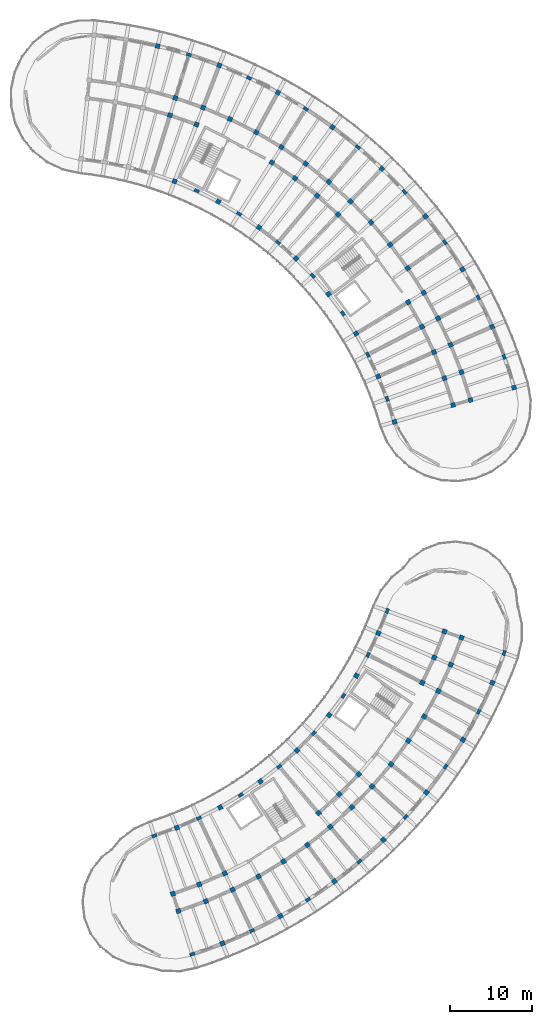
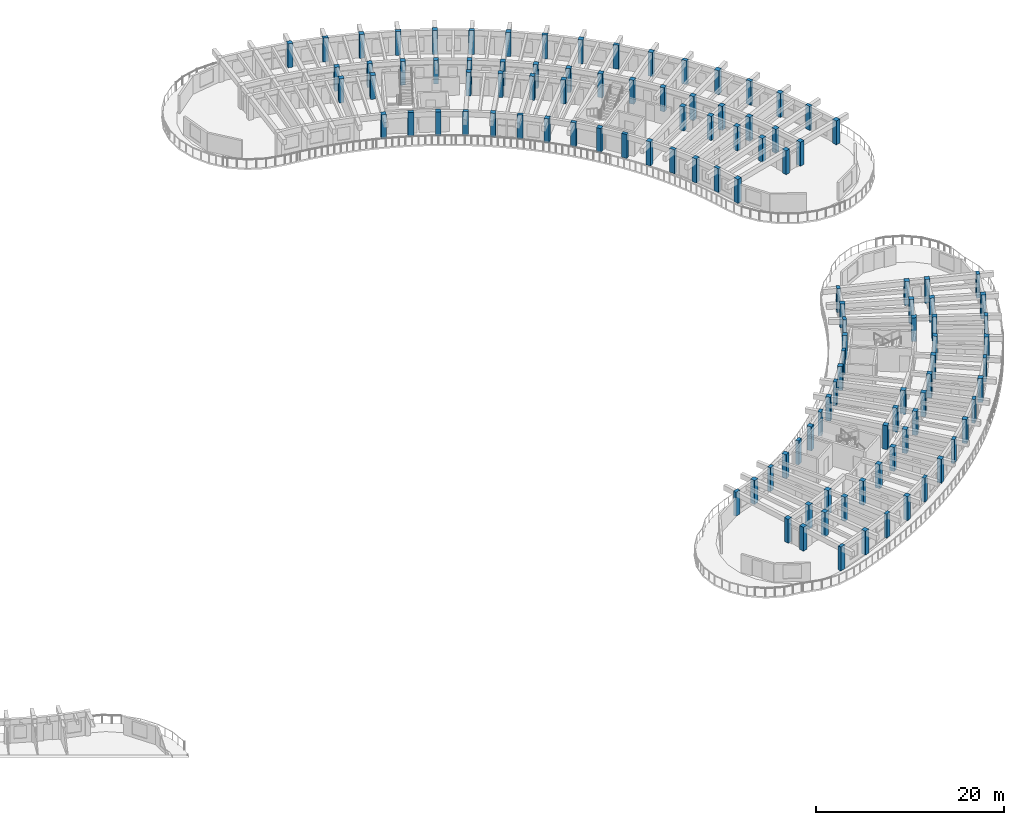
# One storey, part 2 of 81: 113 columns.
"""IFC4 building model written with IfcOpenShell, lengths in metres."""

from ifc_helpers import new_model, si_unit, direction, frame, origin, origin_2d, place, context, subcontext, project, spatial, rectangle, extrude, material, material_profile, profile_set, type_object, element, save


model = new_model("IFC4")

# Units and contexts
model_context = context("Model", 3, precision=1e-05, world=origin(), true_north=direction((0.0, 1.0)))
body_context = subcontext(model_context, "Body", "Model", "MODEL_VIEW")
ifc_project = project(units=[si_unit("LENGTHUNIT", "METRE"), si_unit("AREAUNIT", "SQUARE_METRE"), si_unit("VOLUMEUNIT", "CUBIC_METRE"), si_unit("PLANEANGLEUNIT", "RADIAN"), si_unit("MASSUNIT", "GRAM", prefix="KILO")], contexts=[model_context])

# Site, building, storey
site_placement = place(None, origin())
site = spatial("IfcSite", under=ifc_project, at=site_placement, CompositionType="ELEMENT")
building_placement = place(site_placement, origin())
building = spatial("IfcBuilding", under=site, at=building_placement, Name="Tanwirah Colonnade Gardens", CompositionType="ELEMENT")
storey_placement = place(building_placement, frame((0.0, 0.0, 18.919921875)))
storey = spatial("IfcBuildingStorey", under=building, at=storey_placement, Name="L05", CompositionType="ELEMENT", Elevation=18.919921875)

# Columns
ifc_material_1 = material(Name="Precast concrete C40/50", Category="concrete")
ifc_material_profile_1 = material_profile(ifc_material_1, rectangle(XDim=0.56005859375, YDim=0.56005859375, at=origin_2d()), Name="PC-COL 560x560")
ifc_profile_set_1 = profile_set([ifc_material_profile_1], Name="Precast concrete C40/50")
column_type_1 = type_object("IfcColumnType", Name="C-PC480", PredefinedType="COLUMN", material=ifc_profile_set_1)
for number, where, z_axis, x_axis, name in (
    (1, (136.80712890625, 15.1181640625, 0.0), (0.0, 0.0, 1.0), (0.304864299028, -0.952395799643, 0.0), "Block D L05 Column 1-R1"),
    (2, (137.47802734375, 13.02294921875, 0.0), (0.0, 0.0, 1.0), (0.304864299028, -0.952395799643, 0.0), "Block D L05 Column 1-R2"),
    (3, (137.291015625, 23.142822265625, 0.0), (0.0, 0.0, 1.0), (0.366501226724, -0.930417567982, 0.0), "Block D L05 Column 2-R0"),
    (4, (140.003173828125, 16.2578125, 0.0), (0.0, 0.0, 1.0), (0.366501226724, -0.930417567982, 0.0), "Block D L05 Column 2-R1"),
    (5, (140.809326171875, 14.2109375, 0.0), (0.0, 0.0, 1.0), (0.366501226724, -0.930417567982, 0.0), "Block D L05 Column 2-R2"),
    (6, (142.8251953125, 9.09375, 0.0), (0.0, 0.0, 1.0), (0.366501226724, -0.930417567982, 0.0), "Block D L05 Column 2-R3"),
    (7, (143.11767578125, 17.60400390625, 0.0), (0.0, 0.0, 1.0), (0.426568739901, -0.904455145454, 0.0), "Block D L05 Column 3-R1"),
    (8, (144.05615234375, 15.6142578125, 0.0), (0.0, 0.0, 1.0), (0.426568739901, -0.904455145454, 0.0), "Block D L05 Column 3-R2"),
    (9, (142.5498046875, 25.623046875, 0.0), (0.0, 0.0, 1.0), (0.484809620246, -0.874619707139, 0.0), "Block D L05 Column 4-R0"),
    (10, (147.203857421875, 17.226806640625, 0.0), (0.0, 0.0, 1.0), (0.484809620246, -0.874619707139, 0.0), "Block D L05 Column 4-R2"),
    (11, (149.870361328125, 12.41650390625, 0.0), (0.0, 0.0, 1.0), (0.484809620246, -0.874619707139, 0.0), "Block D L05 Column 4-R3"),
    (12, (150.23974609375, 19.041748046875, 0.0), (0.0, 0.0, 1.0), (0.540974471368, -0.841039012964, 0.0), "Block D L05 Column 5-R2"),
    (13, (147.43994140625, 28.7685546875, 0.0), (0.0, 0.0, 1.0), (0.594822786751, -0.803856860617, 0.0), "Block D L05 Column 6-R0"),
    (14, (153.150146484375, 21.051513671875, 0.0), (0.0, 0.0, 1.0), (0.594822786751, -0.803856860617, 0.0), "Block D L05 Column 6-R2"),
    (15, (156.421630859375, 16.63037109375, 0.0), (0.0, 0.0, 1.0), (0.594822786751, -0.803856860617, 0.0), "Block D L05 Column 6-R3"),
    (16, (154.50146484375, 24.926513671875, 0.0), (0.0, 0.0, 1.0), (0.646123979643, -0.763232469783, 0.0), "Block D L05 Column 7-R1"),
    (17, (155.923095703125, 23.247314453125, 0.0), (0.0, 0.0, 1.0), (0.646123979643, -0.763232469783, 0.0), "Block D L05 Column 7-R2"),
    (18, (151.877685546875, 32.525390625, 0.0), (0.0, 0.0, 1.0), (0.694658370459, -0.719339800339, 0.0), "Block D L05 Column 8-R0"),
    (19, (157.01806640625, 27.2021484375, 0.0), (0.0, 0.0, 1.0), (0.694658370459, -0.719339800339, 0.0), "Block D L05 Column 8-R1"),
    (20, (158.54638671875, 25.61962890625, 0.0), (0.0, 0.0, 1.0), (0.694658370459, -0.719339800339, 0.0), "Block D L05 Column 8-R2"),
    (21, (162.366943359375, 21.663330078125, 0.0), (0.0, 0.0, 1.0), (0.694658370459, -0.719339800339, 0.0), "Block D L05 Column 8-R3"),
    (22, (159.38037109375, 29.6376953125, 0.0), (0.0, 0.0, 1.0), (0.740218127487, -0.672366807435, 0.0), "Block D L05 Column 9-R1"),
    (23, (161.0087890625, 28.15869140625, 0.0), (0.0, 0.0, 1.0), (0.740218127487, -0.672366807435, 0.0), "Block D L05 Column 9-R2"),
    (24, (155.786865234375, 36.829345703125, 0.0), (0.0, 0.0, 1.0), (0.782608156852, -0.622514636638, 0.0), "Block D L05 Column 10-R0"),
    (25, (163.300048828125, 30.85302734375, 0.0), (0.0, 0.0, 1.0), (0.782608156852, -0.622514636638, 0.0), "Block D L05 Column 10-R2"),
    (26, (167.604248046875, 27.42919921875, 0.0), (0.0, 0.0, 1.0), (0.782608156852, -0.622514636638, 0.0), "Block D L05 Column 10-R3"),
    (27, (165.409912109375, 33.691650390625, 0.0), (0.0, 0.0, 1.0), (0.821646937942, -0.569996762596, 0.0), "Block D L05 Column 11-R2"),
    (28, (159.10107421875, 41.6064453125, 0.0), (0.0, 0.0, 1.0), (0.857167300702, -0.51503807491, 0.0), "Block D L05 Column 12-R0"),
    (29, (167.329833984375, 36.662109375, 0.0), (0.0, 0.0, 1.0), (0.857167300702, -0.51503807491, 0.0), "Block D L05 Column 12-R2"),
    (30, (172.04443359375, 33.82958984375, 0.0), (0.0, 0.0, 1.0), (0.857167300702, -0.51503807491, 0.0), "Block D L05 Column 12-R3"),
    (31, (167.095458984375, 40.75927734375, 0.0), (0.0, 0.0, 1.0), (0.889017141486, -0.457873915117, 0.0), "Block D L05 Column 13-R1"),
    (32, (169.05126953125, 39.751953125, 0.0), (0.0, 0.0, 1.0), (0.889017141486, -0.457873915117, 0.0), "Block D L05 Column 13-R2"),
    (33, (161.763427734375, 46.775634765625, 0.0), (0.0, 0.0, 1.0), (0.917060074385, -0.398749068925, 0.0), "Block D L05 Column 14-R0"),
    (34, (168.549560546875, 43.824951171875, 0.0), (0.0, 0.0, 1.0), (0.917060074385, -0.398749068925, 0.0), "Block D L05 Column 14-R1"),
    (35, (170.567138671875, 42.947509765625, 0.0), (0.0, 0.0, 1.0), (0.917060074385, -0.398749068925, 0.0), "Block D L05 Column 14-R2"),
    (36, (175.61083984375, 40.75439453125, 0.0), (0.0, 0.0, 1.0), (0.917060074385, -0.398749068925, 0.0), "Block D L05 Column 14-R3"),
    (37, (169.800048828125, 46.97900390625, 0.0), (0.0, 0.0, 1.0), (0.941176015256, -0.337916718003, 0.0), "Block D L05 Column 15-R1"),
    (38, (171.87060546875, 46.235595703125, 0.0), (0.0, 0.0, 1.0), (0.941176015256, -0.337916718003, 0.0), "Block D L05 Column 15-R2"),
):
    element("IfcColumn", number, at=place(storey_placement, frame(where, z_axis=z_axis, x_axis=x_axis)), inside=storey, type_object=column_type_1, Name=name, PredefinedType="COLUMN", context=body_context, shape_type="SweptSolid", body=[
        extrude(rectangle(XDim=0.56005859375, YDim=0.56005859375, at=origin_2d()), origin(), (0.0, 0.0, 1.0), 3.110107421875),
    ])
ifc_material_2 = material(Name="Precast concrete C45/55", Category="concrete")
ifc_material_profile_2 = material_profile(ifc_material_2, rectangle(XDim=0.550048828125, YDim=0.550048828125, at=origin_2d()), Name="PC-COL 550x550")
ifc_profile_set_2 = profile_set([ifc_material_profile_2], Name="Precast concrete C45/55")
column_type_2 = type_object("IfcColumnType", Name="C-PC550", PredefinedType="COLUMN", material=ifc_profile_set_2)
for number, where, z_axis, x_axis, name in (
    (39, (163.72802734375, 72.4521484375, 0.0), (0.0, 0.0, 1.0), (0.961261695938, 0.275637355817, 0.0), "Block B L05 Column 0-R0"),
    (40, (170.84130859375, 74.49169921875, 0.0), (0.0, 0.0, 1.0), (0.961261695938, 0.275637355817, 0.0), "Block B L05 Column 0-R1"),
    (41, (172.956298828125, 75.09814453125, 0.0), (0.0, 0.0, 1.0), (0.961261695938, 0.275637355817, 0.0), "Block B L05 Column 0-R2"),
    (42, (178.2431640625, 76.6142578125, 0.0), (0.0, 0.0, 1.0), (0.961261695938, 0.275637355817, 0.0), "Block B L05 Column 0-R3"),
    (43, (169.79150390625, 77.74462890625, 0.0), (0.0, 0.0, 1.0), (0.941012076693, 0.338372976931, 0.0), "Block B L05 Column 1-R1"),
    (44, (171.86181640625, 78.489013671875, 0.0), (0.0, 0.0, 1.0), (0.941012076693, 0.338372976931, 0.0), "Block B L05 Column 1-R2"),
    (45, (161.74609375, 77.9638671875, 0.0), (0.0, 0.0, 1.0), (0.916673002238, 0.39963809499, 0.0), "Block B L05 Column 2-R0"),
    (46, (168.529541015625, 80.921142578125, 0.0), (0.0, 0.0, 1.0), (0.916673002238, 0.39963809499, 0.0), "Block B L05 Column 2-R1"),
    (47, (170.546142578125, 81.800537109375, 0.0), (0.0, 0.0, 1.0), (0.916673002238, 0.39963809499, 0.0), "Block B L05 Column 2-R2"),
    (48, (175.587890625, 83.99853515625, 0.0), (0.0, 0.0, 1.0), (0.916673002238, 0.39963809499, 0.0), "Block B L05 Column 2-R3"),
    (49, (167.06103515625, 84.0078125, 0.0), (0.0, 0.0, 1.0), (0.88835024545, 0.459166463723, 0.0), "Block B L05 Column 3-R1"),
    (50, (169.015380859375, 85.01806640625, 0.0), (0.0, 0.0, 1.0), (0.88835024545, 0.459166463723, 0.0), "Block B L05 Column 3-R2"),
    (51, (159.056640625, 83.167236328125, 0.0), (0.0, 0.0, 1.0), (0.856166891514, 0.516699384434, 0.0), "Block B L05 Column 4-R0"),
    (52, (165.392333984375, 86.990966796875, 0.0), (0.0, 0.0, 1.0), (0.856166891514, 0.516699384434, 0.0), "Block B L05 Column 4-R1"),
    (53, (167.27587890625, 88.127685546875, 0.0), (0.0, 0.0, 1.0), (0.856166891514, 0.516699384434, 0.0), "Block B L05 Column 4-R2"),
    (54, (171.984619140625, 90.969482421875, 0.0), (0.0, 0.0, 1.0), (0.856166891514, 0.516699384434, 0.0), "Block B L05 Column 4-R3"),
    (55, (165.335205078125, 91.115966796875, 0.0), (0.0, 0.0, 1.0), (0.820262803018, 0.571986830255, 0.0), "Block B L05 Column 5-R2"),
    (56, (155.706298828125, 87.971923828125, 0.0), (0.0, 0.0, 1.0), (0.780794012137, 0.624788532714, 0.0), "Block B L05 Column 6-R0"),
    (57, (163.201904296875, 93.9697265625, 0.0), (0.0, 0.0, 1.0), (0.780794012137, 0.624788532714, 0.0), "Block B L05 Column 6-R2"),
    (58, (167.496337890625, 97.40625, 0.0), (0.0, 0.0, 1.0), (0.780794012137, 0.624788532714, 0.0), "Block B L05 Column 6-R3"),
    (59, (160.88525390625, 96.677001953125, 0.0), (0.0, 0.0, 1.0), (0.73793204255, 0.674875025896, 0.0), "Block B L05 Column 7-R2"),
    (60, (151.75341796875, 92.294189453125, 0.0), (0.0, 0.0, 1.0), (0.691863164029, 0.722028643656, 0.0), "Block B L05 Column 8-R0"),
    (61, (156.873046875, 97.63720703125, 0.0), (0.0, 0.0, 1.0), (0.691863164029, 0.722028643656, 0.0), "Block B L05 Column 8-R1"),
    (62, (158.395263671875, 99.2255859375, 0.0), (0.0, 0.0, 1.0), (0.691863164029, 0.722028643656, 0.0), "Block B L05 Column 8-R2"),
    (63, (162.200439453125, 103.19677734375, 0.0), (0.0, 0.0, 1.0), (0.691863164029, 0.722028643656, 0.0), "Block B L05 Column 8-R3"),
    (64, (154.32861328125, 99.91943359375, 0.0), (0.0, 0.0, 1.0), (0.642787582947, 0.766044465556, 0.0), "Block B L05 Column 9-R1"),
    (65, (155.74267578125, 101.604736328125, 0.0), (0.0, 0.0, 1.0), (0.642787582947, 0.766044465556, 0.0), "Block B L05 Column 9-R2"),
    (66, (147.266357421875, 96.05908203125, 0.0), (0.0, 0.0, 1.0), (0.590918572221, 0.806731207407, 0.0), "Block B L05 Column 10-R0"),
    (67, (151.63916015625, 102.029052734375, 0.0), (0.0, 0.0, 1.0), (0.590918572221, 0.806731207407, 0.0), "Block B L05 Column 10-R1"),
    (68, (152.939208984375, 103.8037109375, 0.0), (0.0, 0.0, 1.0), (0.590918572221, 0.806731207407, 0.0), "Block B L05 Column 10-R2"),
    (69, (156.189208984375, 108.24072265625, 0.0), (0.0, 0.0, 1.0), (0.590918572221, 0.806731207407, 0.0), "Block B L05 Column 10-R3"),
    (70, (148.816650390625, 103.956787109375, 0.0), (0.0, 0.0, 1.0), (0.536481544469, 0.843912052553, 0.0), "Block B L05 Column 11-R1"),
    (71, (149.996826171875, 105.8134765625, 0.0), (0.0, 0.0, 1.0), (0.536481544469, 0.843912052553, 0.0), "Block B L05 Column 11-R2"),
    (72, (142.3232421875, 99.20166015625, 0.0), (0.0, 0.0, 1.0), (0.479713072413, 0.877425420281, 0.0), "Block B L05 Column 12-R0"),
    (73, (146.928466796875, 107.624755859375, 0.0), (0.0, 0.0, 1.0), (0.479713072413, 0.877425420281, 0.0), "Block B L05 Column 12-R2"),
    (74, (149.56689453125, 112.45068359375, 0.0), (0.0, 0.0, 1.0), (0.479713072413, 0.877425420281, 0.0), "Block B L05 Column 12-R3"),
    (75, (143.74755859375, 109.230224609375, 0.0), (0.0, 0.0, 1.0), (0.420859860775, 0.907125668024, 0.0), "Block B L05 Column 13-R2"),
    (76, (137.010009765625, 101.666748046875, 0.0), (0.0, 0.0, 1.0), (0.36017767415, 0.932883724289, 0.0), "Block B L05 Column 14-R0"),
    (77, (139.67529296875, 108.570068359375, 0.0), (0.0, 0.0, 1.0), (0.36017767415, 0.932883724289, 0.0), "Block B L05 Column 14-R1"),
    (78, (140.467529296875, 110.622314453125, 0.0), (0.0, 0.0, 1.0), (0.36017767415, 0.932883724289, 0.0), "Block B L05 Column 14-R2"),
    (79, (142.448486328125, 115.753173828125, 0.0), (0.0, 0.0, 1.0), (0.36017767415, 0.932883724289, 0.0), "Block B L05 Column 14-R3"),
    (80, (136.44775390625, 109.6953125, 0.0), (0.0, 0.0, 1.0), (0.297930225503, 0.954587649581, 0.0), "Block B L05 Column 15-R1"),
    (81, (137.10302734375, 111.79541015625, 0.0), (0.0, 0.0, 1.0), (0.297930225503, 0.954587649581, 0.0), "Block B L05 Column 15-R2"),
    (82, (134.957763671875, 118.091064453125, 0.0), (0.0, 0.0, 1.0), (0.234388030122, 0.972143122866, 0.0), "Block B L05 Column 16-R3"),
):
    element("IfcColumn", number, at=place(storey_placement, frame(where, z_axis=z_axis, x_axis=x_axis)), inside=storey, type_object=column_type_2, Name=name, PredefinedType="COLUMN", context=body_context, shape_type="SweptSolid", body=[
        extrude(rectangle(XDim=0.550048828125, YDim=0.550048828125, at=origin_2d()), origin(), (0.0, 0.0, 1.0), 3.110107421875),
    ])
ifc_material_profile_3 = material_profile(ifc_material_1, rectangle(XDim=0.3798828125, YDim=0.6201171875, at=origin_2d()), Name="PC-PIL 380x620")
ifc_profile_set_3 = profile_set([ifc_material_profile_3], Name="Precast concrete C40/50")
column_type_3 = type_object("IfcColumnType", Name="PIL-380", PredefinedType="PILASTER", material=ifc_profile_set_3)
for number, where, z_axis, x_axis, name in (
    (83, (162.827880859375, 75.24072265625, 0.0), (0.0, 0.0, 1.0), (0.941012076693, 0.338372976931, 0.0), "Block B L05 Column 1-R0"),
    (84, (177.037353515625, 80.35009765625, 0.0), (0.0, 0.0, 1.0), (0.941012076693, 0.338372976931, 0.0), "Block B L05 Column 1-R3"),
    (85, (160.487060546875, 80.60986328125, 0.0), (0.0, 0.0, 1.0), (0.88835024545, 0.459166463723, 0.0), "Block B L05 Column 3-R0"),
    (86, (173.9013671875, 87.54345703125, 0.0), (0.0, 0.0, 1.0), (0.88835024545, 0.459166463723, 0.0), "Block B L05 Column 3-R3"),
    (87, (157.460693359375, 85.624755859375, 0.0), (0.0, 0.0, 1.0), (0.820262803018, 0.571986830255, 0.0), "Block B L05 Column 5-R0"),
    (88, (169.8466796875, 94.26171875, 0.0), (0.0, 0.0, 1.0), (0.820262803018, 0.571986830255, 0.0), "Block B L05 Column 5-R3"),
    (89, (153.801025390625, 90.1982421875, 0.0), (0.0, 0.0, 1.0), (0.73793204255, 0.674875025896, 0.0), "Block B L05 Column 7-R0"),
    (90, (164.94384765625, 100.388916015625, 0.0), (0.0, 0.0, 1.0), (0.73793204255, 0.674875025896, 0.0), "Block B L05 Column 7-R3"),
    (91, (149.572021484375, 94.250732421875, 0.0), (0.0, 0.0, 1.0), (0.642787582947, 0.766044465556, 0.0), "Block B L05 Column 9-R0"),
    (92, (159.278076171875, 105.81787109375, 0.0), (0.0, 0.0, 1.0), (0.642787582947, 0.766044465556, 0.0), "Block B L05 Column 9-R3"),
    (93, (144.8466796875, 97.7119140625, 0.0), (0.0, 0.0, 1.0), (0.536481544469, 0.843912052553, 0.0), "Block B L05 Column 11-R0"),
    (94, (152.947509765625, 110.455078125, 0.0), (0.0, 0.0, 1.0), (0.536481544469, 0.843912052553, 0.0), "Block B L05 Column 11-R3"),
    (95, (139.707275390625, 100.521728515625, 0.0), (0.0, 0.0, 1.0), (0.420859860775, 0.907125668024, 0.0), "Block B L05 Column 13-R0"),
    (96, (146.062255859375, 114.21923828125, 0.0), (0.0, 0.0, 1.0), (0.420859860775, 0.907125668024, 0.0), "Block B L05 Column 13-R3"),
    (97, (138.74169921875, 117.045654296875, 0.0), (0.0, 0.0, 1.0), (0.297930225503, 0.954587649581, 0.0), "Block B L05 Column 15-R3"),
    (98, (134.55126953125, 22.166015625, 0.0), (0.0, 0.0, 1.0), (0.304864299028, -0.952395799643, 0.0), "Block D L05 Column 1-R0"),
    (99, (139.15478515625, 7.784912109375, 0.0), (0.0, 0.0, 1.0), (0.304864299028, -0.952395799643, 0.0), "Block D L05 Column 1-R3"),
    (100, (139.9609375, 24.296875, 0.0), (0.0, 0.0, 1.0), (0.426568739901, -0.904455145454, 0.0), "Block D L05 Column 3-R0"),
    (101, (146.402099609375, 10.6396484375, 0.0), (0.0, 0.0, 1.0), (0.426568739901, -0.904455145454, 0.0), "Block D L05 Column 3-R3"),
    (102, (145.04638671875, 27.11572265625, 0.0), (0.0, 0.0, 1.0), (0.540974471368, -0.841039012964, 0.0), "Block D L05 Column 5-R0"),
    (103, (153.215087890625, 14.416015625, 0.0), (0.0, 0.0, 1.0), (0.540974471368, -0.841039012964, 0.0), "Block D L05 Column 5-R3"),
    (104, (149.72021484375, 30.57421875, 0.0), (0.0, 0.0, 1.0), (0.646123979643, -0.763232469783, 0.0), "Block D L05 Column 7-R0"),
    (105, (159.4765625, 19.049560546875, 0.0), (0.0, 0.0, 1.0), (0.646123979643, -0.763232469783, 0.0), "Block D L05 Column 7-R3"),
    (106, (153.902587890625, 34.61328125, 0.0), (0.0, 0.0, 1.0), (0.740218127487, -0.672366807435, 0.0), "Block D L05 Column 9-R0"),
    (107, (165.080078125, 24.46044921875, 0.0), (0.0, 0.0, 1.0), (0.740218127487, -0.672366807435, 0.0), "Block D L05 Column 9-R3"),
    (108, (157.522216796875, 39.16357421875, 0.0), (0.0, 0.0, 1.0), (0.821646937942, -0.569996762596, 0.0), "Block D L05 Column 11-R0"),
    (109, (169.928955078125, 30.556640625, 0.0), (0.0, 0.0, 1.0), (0.821646937942, -0.569996762596, 0.0), "Block D L05 Column 11-R3"),
    (110, (160.516845703125, 44.1474609375, 0.0), (0.0, 0.0, 1.0), (0.889017141486, -0.457873915117, 0.0), "Block D L05 Column 13-R0"),
    (111, (173.94091796875, 37.233642578125, 0.0), (0.0, 0.0, 1.0), (0.889017141486, -0.457873915117, 0.0), "Block D L05 Column 13-R3"),
    (112, (162.835205078125, 49.4794921875, 0.0), (0.0, 0.0, 1.0), (0.941176015256, -0.337916718003, 0.0), "Block D L05 Column 15-R0"),
    (113, (177.047119140625, 44.376953125, 0.0), (0.0, 0.0, 1.0), (0.941176015256, -0.337916718003, 0.0), "Block D L05 Column 15-R3"),
):
    element("IfcColumn", number, at=place(storey_placement, frame(where, z_axis=z_axis, x_axis=x_axis)), inside=storey, type_object=column_type_3, Name=name, PredefinedType="PILASTER", context=body_context, shape_type="SweptSolid", body=[
        extrude(rectangle(XDim=0.3798828125, YDim=0.6201171875, at=origin_2d()), origin(), (0.0, 0.0, 1.0), 3.110107421875),
    ])

save(model, "model.ifc")
